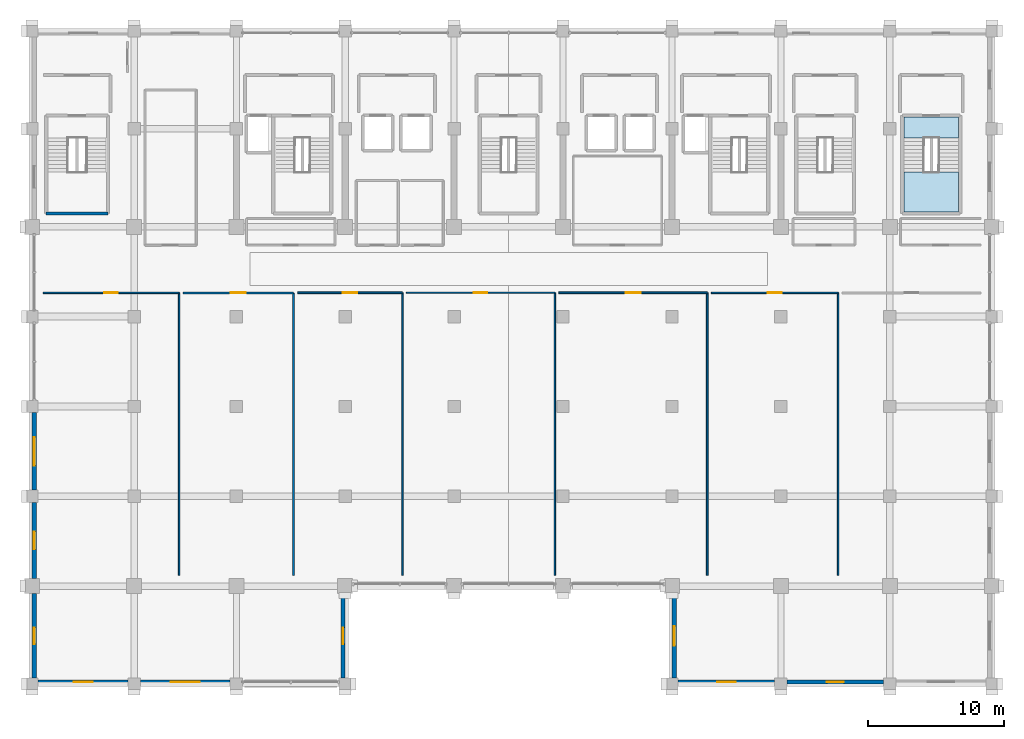
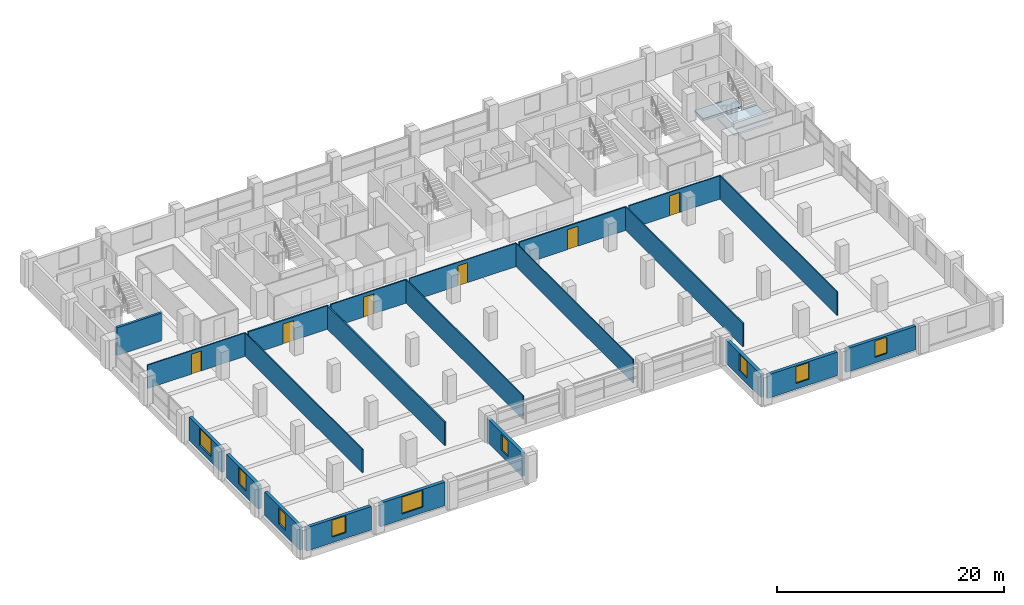
# One storey, part 16 of 22: 22 walls, 9 windows, 6 doors, 2 slabs, 15 openings, 1 element without a shape of its own.
"""IFC4 building model written with IfcOpenShell, lengths in metres."""

import ifcopenshell
import ifcopenshell.guid

model = None  # the IFC model being written
_history = None  # IfcOwnerHistory: only IFC2X3 demands one
_inside = {}  # id of a spatial element -> (the spatial element, [elements in it])
_under = {}  # id of a project, library or spatial element -> (it, [spatial elements below it])
_declared = {}  # id of a project -> (the project, [libraries it declares])
_typed = {}  # id of a type object -> (the type object, [elements of that type])
_made_of = {}  # id of a material, layer set ... -> (it, [elements and type objects made of it])


def new_model(schema):
    """Start an empty IFC model of exactly this schema.

    Asked for "IFC4X3", IfcOpenShell would pick the latest addendum, in which some entities
    have other attributes; the version numbers below select the first issue.
    IFC2X3 requires an IfcOwnerHistory on every rooted entity: one is made here for all.
    """
    global model, _history
    if schema == "IFC4X3":
        model = ifcopenshell.file(schema_version=(4, 3, 0, 0))
    else:
        model = ifcopenshell.file(schema=schema)
    _inside.clear()
    _under.clear()
    _declared.clear()
    _typed.clear()
    _made_of.clear()
    _history = None
    if model.schema == "IFC2X3":
        org = make("IfcOrganization", Name="unknown")
        user = make(
            "IfcPersonAndOrganization",
            ThePerson=make("IfcPerson", FamilyName="unknown"),
            TheOrganization=org,
        )
        app = make(
            "IfcApplication",
            ApplicationDeveloper=org,
            Version="unknown",
            ApplicationFullName="unknown",
            ApplicationIdentifier="unknown",
        )
        _history = make(
            "IfcOwnerHistory",
            OwningUser=user,
            OwningApplication=app,
            ChangeAction="ADDED",
            CreationDate=0,
        )
    return model


def make(cls, **values):
    """One entity of the class cls with the attributes given. An attribute that is None is left unset."""
    return model.create_entity(
        cls, **{name: value for name, value in values.items() if value is not None}
    )


def rooted(cls, **values):
    """An entity with a GlobalId (a new one), such as an element, a storey or a relation."""
    return make(cls, GlobalId=ifcopenshell.guid.new(), OwnerHistory=_history, **values)


def si_unit(unit_type, name, prefix=None):
    """IfcSIUnit, for example si_unit("LENGTHUNIT", "METRE", prefix="MILLI")."""
    return make("IfcSIUnit", UnitType=unit_type, Prefix=prefix, Name=name)


def assignment(units):
    """IfcUnitAssignment: the units of a project."""
    return None if units is None else make("IfcUnitAssignment", Units=units)


def point(xyz):
    """IfcCartesianPoint."""
    return None if xyz is None else make("IfcCartesianPoint", Coordinates=xyz)


def direction(xyz):
    """IfcDirection."""
    return None if xyz is None else make("IfcDirection", DirectionRatios=xyz)


def frame(location, z_axis=None, x_axis=None):
    """IfcAxis2Placement3D, a coordinate frame: its origin and axes. An axis left out is left unset."""
    return make(
        "IfcAxis2Placement3D",
        Location=point(location),
        Axis=direction(z_axis),
        RefDirection=direction(x_axis),
    )


def frame_2d(location, x_axis=None):
    """IfcAxis2Placement2D, a coordinate frame in the plane: its origin and x axis."""
    return make(
        "IfcAxis2Placement2D", Location=point(location), RefDirection=direction(x_axis)
    )


def origin():
    """The frame at (0, 0, 0) with its axes left unset."""
    return frame((0.0, 0.0, 0.0))


def place(relative_to, where):
    """IfcLocalPlacement: puts the frame where relative to a parent placement (None: the world)."""
    return make(
        "IfcLocalPlacement", PlacementRelTo=relative_to, RelativePlacement=where
    )


def context(
    kind, dimensions, precision=None, world=None, true_north=None, identifier=None
):
    """IfcGeometricRepresentationContext, for example the 3D "Model" context."""
    return make(
        "IfcGeometricRepresentationContext",
        ContextIdentifier=identifier,
        ContextType=kind,
        CoordinateSpaceDimension=dimensions,
        Precision=precision,
        WorldCoordinateSystem=world,
        TrueNorth=true_north,
    )


def subcontext(parent, identifier, kind, view, scale=None):
    """IfcGeometricRepresentationSubContext, for example "Body" below "Model"."""
    return make(
        "IfcGeometricRepresentationSubContext",
        ContextIdentifier=identifier,
        ContextType=kind,
        ParentContext=parent,
        TargetScale=scale,
        TargetView=view,
    )


def project(units=None, contexts=None):
    """IfcProject with its units and contexts."""
    return rooted(
        "IfcProject",
        Name="project",
        RepresentationContexts=contexts,
        UnitsInContext=assignment(units),
    )


def spatial(cls, under=None, at=None, **own):
    """A site, building, storey or space (cls), placed at a placement, below another one or the project."""
    s = rooted(cls, ObjectPlacement=at, **own)
    if under is not None:
        _under.setdefault(under.id(), (under, []))[1].append(s)
    return s


def polyline(points):
    """IfcPolyline through the points."""
    return make("IfcPolyline", Points=[point(p) for p in points])


def profile(cls, at=None, kind="AREA", **sizes):
    """A parametric profile (cls). Its sizes go by their IFC names, for example OverallWidth=200.0."""
    return make(cls, ProfileType=kind, Position=at, **sizes)


def rectangle(**sizes):
    """IfcRectangleProfileDef."""
    return profile("IfcRectangleProfileDef", **sizes)


def outline(outer, holes=None, kind="AREA"):
    """IfcArbitraryClosedProfileDef: a profile drawn as a closed curve; with holes, ...WithVoids."""
    if holes is None:
        return make("IfcArbitraryClosedProfileDef", ProfileType=kind, OuterCurve=outer)
    return make(
        "IfcArbitraryProfileDefWithVoids",
        ProfileType=kind,
        OuterCurve=outer,
        InnerCurves=holes,
    )


def extrude(swept, where, along, depth):
    """IfcExtrudedAreaSolid: the profile swept, set in the frame where, extruded along a direction by depth."""
    return make(
        "IfcExtrudedAreaSolid",
        SweptArea=swept,
        Position=where,
        ExtrudedDirection=direction(along),
        Depth=depth,
    )


def shape(context_of_items, identifier, shape_type, items):
    """IfcShapeRepresentation: the items that make up one representation, for example the "Body"."""
    return make(
        "IfcShapeRepresentation",
        ContextOfItems=context_of_items,
        RepresentationIdentifier=identifier,
        RepresentationType=shape_type,
        Items=items,
    )


def material(Name=None, Category=None):
    """IfcMaterial."""
    return make("IfcMaterial", Name=Name, Category=Category)


def layer(
    of_material, thickness, ventilated=None, Name=None, Category=None, Priority=None
):
    """IfcMaterialLayer: one layer of a wall or slab, of a material (None: an air gap)."""
    return make(
        "IfcMaterialLayer",
        Material=of_material,
        LayerThickness=thickness,
        IsVentilated=ventilated,
        Name=Name,
        Category=Category,
        Priority=Priority,
    )


def layer_set(layers, Name=None):
    """IfcMaterialLayerSet."""
    return make("IfcMaterialLayerSet", MaterialLayers=layers, LayerSetName=Name)


def made_of(thing, what):
    """Note that an element or type object is made of a material, layer set ...; save() writes the relation."""
    if what is not None:
        _made_of.setdefault(what.id(), (what, []))[1].append(thing)
    return thing


def type_object(cls, material=None, **own):
    """A type object (cls), such as IfcWallType, which elements share."""
    return made_of(rooted(cls, **own), material)


def element(
    cls,
    number,
    at=None,
    inside=None,
    cuts=None,
    type_object=None,
    material=None,
    context=None,
    identifier="Body",
    shape_type=None,
    held_by="IfcProductDefinitionShape",
    body=None,
    shapes=None,
    **own,
):
    """One element of the class cls, such as IfcWall. Its Tag is "e" and its number.

    at: its placement. inside: the storey or other place that contains it. cuts: it is an
    opening in that element (IfcRelVoidsElement). A single representation is given by context,
    identifier, shape_type and body (its items); several are given by shapes. held_by: the class
    of the entity that holds the representations. save() writes the other relations.
    """
    e = rooted(cls, Tag="e%d" % number, ObjectPlacement=at, **own)
    if body is not None:
        shapes = [shape(context, identifier, shape_type, body)]
    if shapes is not None:
        e.Representation = make(held_by, Representations=shapes)
    if inside is not None:
        _inside.setdefault(inside.id(), (inside, []))[1].append(e)
    if cuts is not None:
        rooted(
            "IfcRelVoidsElement", RelatingBuildingElement=cuts, RelatedOpeningElement=e
        )
    if type_object is not None:
        _typed.setdefault(type_object.id(), (type_object, []))[1].append(e)
    return made_of(e, material)


def fill(opening, filler):
    """IfcRelFillsElement: the door or window that sits in an opening."""
    return rooted(
        "IfcRelFillsElement",
        RelatingOpeningElement=opening,
        RelatedBuildingElement=filler,
    )


def aggregate(whole, parts):
    """IfcRelAggregates: a whole, such as a stair, and the parts it consists of."""
    return rooted("IfcRelAggregates", RelatingObject=whole, RelatedObjects=parts)


def save(model, path):
    """Write the relations noted so far, then the file.

    IfcRelAggregates (storeys below a building ...), IfcRelContainedInSpatialStructure (elements
    in a storey), IfcRelDefinesByType, IfcRelAssociatesMaterial and IfcRelDeclares: one each for
    every whole, place, type object, material and project.
    """
    for whole, parts in _under.values():
        aggregate(whole, parts)
    for where, things in _inside.values():
        rooted(
            "IfcRelContainedInSpatialStructure",
            RelatedElements=things,
            RelatingStructure=where,
        )
    for kind, things in _typed.values():
        rooted("IfcRelDefinesByType", RelatedObjects=things, RelatingType=kind)
    for what, things in _made_of.values():
        rooted("IfcRelAssociatesMaterial", RelatedObjects=things, RelatingMaterial=what)
    for by, libraries in _declared.values():
        rooted("IfcRelDeclares", RelatingContext=by, RelatedDefinitions=libraries)
    model.write(path)


model = new_model("IFC4")

# Units and contexts
model_context = context("Model", 3, precision=1e-05, world=origin(), true_north=direction((0.0, 1.0)))
body_context = subcontext(model_context, "Body", "Model", "MODEL_VIEW")
ifc_project = project(units=[si_unit("LENGTHUNIT", "METRE"), si_unit("AREAUNIT", "SQUARE_METRE"), si_unit("VOLUMEUNIT", "CUBIC_METRE"), si_unit("PLANEANGLEUNIT", "RADIAN"), si_unit("MASSUNIT", "GRAM", prefix="KILO")], contexts=[model_context])

# Site, building, storey
site_placement = place(None, origin())
site = spatial("IfcSite", under=ifc_project, at=site_placement, CompositionType="ELEMENT")
building_placement = place(site_placement, origin())
building = spatial("IfcBuilding", under=site, at=building_placement, Name="Akrevak Sports Hall", CompositionType="ELEMENT")
storey_placement = place(building_placement, frame((0.0, 0.0, 30.800048828125)))
storey = spatial("IfcBuildingStorey", under=building, at=storey_placement, Name="L06", CompositionType="ELEMENT", Elevation=30.800048828125)

# Stair, slab
ifc_material_1 = material(Name="Concrete C40/50", Category="concrete")
stair_type = type_object("IfcStairType", Name="ARC-STR-DOG-325", PredefinedType="HALF_TURN_STAIR", material=ifc_material_1)
stair_placement = place(storey_placement, origin())
stair = element("IfcStair", 1, at=stair_placement, inside=storey, type_object=stair_type, Name="East Transfer Exit Stair ST11 (L06 to L07)", PredefinedType="HALF_TURN_STAIR")
ifc_layer_1 = layer(ifc_material_1, 0.199951171875, Name="Concrete C40/50")
ifc_layer_set_1 = layer_set([ifc_layer_1], Name="Concrete C40/50")
slab_type_1 = type_object("IfcSlabType", Name="STR-SLB-LAND-200", PredefinedType="LANDING", material=ifc_layer_set_1)
slab_1_placement = place(storey_placement, frame((0.0, 0.0, 1.425048828125)))
slab_1 = element("IfcSlab", 2, at=slab_1_placement, type_object=slab_type_1, Name="Stair ST11 Half-Landing 1 (L06)", PredefinedType="LANDING", context=body_context, shape_type="SweptSolid", body=[
    extrude(outline(polyline([(109.050048828125, 56.300048828125), (113.050048828125, 56.300048828125), (113.050048828125, 59.215087890625), (109.050048828125, 59.215087890625), (109.050048828125, 56.300048828125)])), origin(), (0.0, 0.0, 1.0), 0.199951171875),
])
aggregate(stair, [slab_1])

# Slab
ifc_layer_2 = layer(ifc_material_1, 0.219970703125, Name="Concrete C40/50")
ifc_layer_set_2 = layer_set([ifc_layer_2], Name="Concrete C40/50")
slab_type_2 = type_object("IfcSlabType", Name="STR-SLB-LAND-220", PredefinedType="LANDING", material=ifc_layer_set_2)
slab_2_placement = place(storey_placement, frame((0.0, 0.0, -0.219970703125)))
element("IfcSlab", 3, at=slab_2_placement, inside=storey, type_object=slab_type_2, Name="Stair ST11 Floor Landing (L06)", PredefinedType="LANDING", context=body_context, shape_type="SweptSolid", body=[
    extrude(outline(polyline([(109.050048828125, 61.735107421875), (113.050048828125, 61.735107421875), (113.050048828125, 63.25), (109.050048828125, 63.25), (109.050048828125, 61.735107421875)])), origin(), (0.0, 0.0, 1.0), 0.219970703125),
])

# Wall, opening, window
ifc_material_2 = material(Name="Limestone Ashlar", Category="stone")
ifc_layer_3 = layer(ifc_material_2, 0.070068359375, Name="Limestone Ashlar")
ifc_material_3 = material(Name="Mineral Wool Thermal Insulation", Category="insulation")
ifc_layer_4 = layer(ifc_material_3, 0.090087890625, Name="Mineral Wool Thermal Insulation")
ifc_layer_5 = layer(ifc_material_1, 0.159912109375, Name="Concrete C40/50")
ifc_layer_set_3 = layer_set([ifc_layer_3, ifc_layer_4, ifc_layer_5], Name="Limestone Ashlar / Mineral Wool Thermal Insulation / Concrete C40/50")
wall_type_1 = type_object("IfcWallType", Name="ARC-WL-EXT-320", PredefinedType="SOLIDWALL", material=ifc_layer_set_3)
wall_1_placement = place(storey_placement, frame((45.449951171875, 21.760009765625, 0.0), z_axis=(0.0, 0.0, 1.0), x_axis=(1.0, 0.0, 0.0)))
wall_1 = element("IfcWall", 4, at=wall_1_placement, inside=storey, type_object=wall_type_1, Name="Tower Stone Facade Wall L06-S01", PredefinedType="SOLIDWALL", context=body_context, shape_type="SweptSolid", body=[
    extrude(rectangle(XDim=6.60009765625, YDim=0.320068359375, at=frame_2d((3.300048828125, 0.0))), origin(), (0.0, 0.0, 1.0), 2.530029296875),
])
opening_1_placement = place(wall_1_placement, frame((2.60009765625, 0.0, 0.6201171875)))
opening_1 = element("IfcOpeningElement", 5, at=opening_1_placement, cuts=wall_1, Name="Opening WN-49", PredefinedType="OPENING", context=body_context, shape_type="SweptSolid", body=[
    extrude(rectangle(XDim=1.39990234375, YDim=1.81005859375, at=frame_2d((0.699951171875, 0.905029296875))), frame((0.0, 0.171875, 0.0), z_axis=(0.0, -1.0, 0.0), x_axis=(1.0, 0.0, 0.0)), (0.0, 0.0, 1.0), 0.343994140625),
])
ifc_material_4 = material(Name="Thermally Broken Bronze Frame & Double Low-E Glass", Category="glass")
window_type_1 = type_object("IfcWindowType", Name="ARC-WIN-SZ-1400x1810", PartitioningType="SINGLE_PANEL", PredefinedType="WINDOW", material=ifc_material_4)
window_1_placement = place(opening_1_placement, origin())
window_1 = element("IfcWindow", 6, at=window_1_placement, inside=storey, type_object=window_type_1, Name="Tower Window L06-S01", OverallHeight=1.81005859375, OverallWidth=1.39990234375, PartitioningType="SINGLE_PANEL", PredefinedType="WINDOW", context=body_context, shape_type="SweptSolid", body=[
    extrude(rectangle(XDim=1.39990234375, YDim=1.81005859375, at=frame_2d((0.699951171875, 0.905029296875))), frame((0.0, 0.030029296875, 0.0), z_axis=(0.0, -1.0, 0.0), x_axis=(1.0, 0.0, 0.0)), (0.0, 0.0, 1.0), 0.06005859375),
])
fill(opening_1, window_1)

wall_2_placement = place(storey_placement, frame((52.949951171875, 21.760009765625, 0.0), z_axis=(0.0, 0.0, 1.0), x_axis=(1.0, 0.0, 0.0)))
wall_2 = element("IfcWall", 7, at=wall_2_placement, inside=storey, type_object=wall_type_1, Name="Tower Stone Facade Wall L06-S02", PredefinedType="SOLIDWALL", context=body_context, shape_type="SweptSolid", body=[
    extrude(rectangle(XDim=6.60009765625, YDim=0.320068359375, at=frame_2d((3.300048828125, 0.0))), origin(), (0.0, 0.0, 1.0), 2.530029296875),
])
opening_2_placement = place(wall_2_placement, frame((2.25, 0.0, 0.6201171875)))
opening_2 = element("IfcOpeningElement", 8, at=opening_2_placement, cuts=wall_2, Name="Opening WN-55", PredefinedType="OPENING", context=body_context, shape_type="SweptSolid", body=[
    extrude(rectangle(XDim=2.10009765625, YDim=1.81005859375, at=frame_2d((1.050048828125, 0.905029296875))), frame((0.0, 0.171875, 0.0), z_axis=(0.0, -1.0, 0.0), x_axis=(1.0, 0.0, 0.0)), (0.0, 0.0, 1.0), 0.343994140625),
])
window_type_2 = type_object("IfcWindowType", Name="ARC-WIN-SZ-2100x1810", PartitioningType="SINGLE_PANEL", PredefinedType="WINDOW", material=ifc_material_4)
window_2_placement = place(opening_2_placement, origin())
window_2 = element("IfcWindow", 9, at=window_2_placement, inside=storey, type_object=window_type_2, Name="Tower Window L06-S02", OverallHeight=1.81005859375, OverallWidth=2.10009765625, PartitioningType="SINGLE_PANEL", PredefinedType="WINDOW", context=body_context, shape_type="SweptSolid", body=[
    extrude(rectangle(XDim=2.10009765625, YDim=1.81005859375, at=frame_2d((1.050048828125, 0.905029296875))), frame((0.0, 0.030029296875, 0.0), z_axis=(0.0, -1.0, 0.0), x_axis=(1.0, 0.0, 0.0)), (0.0, 0.0, 1.0), 0.06005859375),
])
fill(opening_2, window_2)

wall_3_placement = place(storey_placement, frame((67.840087890625, 22.050048828125, 0.0), z_axis=(0.0, 0.0, 1.0), x_axis=(0.0, 1.0, 0.0)))
wall_3 = element("IfcWall", 10, at=wall_3_placement, inside=storey, type_object=wall_type_1, Name="Tower Stone Facade Wall L06-E04", PredefinedType="SOLIDWALL", context=body_context, shape_type="SweptSolid", body=[
    extrude(rectangle(XDim=6.199951171875, YDim=0.320068359375, at=frame_2d((3.10009765625, 0.0))), origin(), (0.0, 0.0, 1.0), 2.530029296875),
])
opening_3_placement = place(wall_3_placement, frame((2.5, 0.0, 0.6201171875)))
opening_3 = element("IfcOpeningElement", 11, at=opening_3_placement, cuts=wall_3, Name="Opening WN-13", PredefinedType="OPENING", context=body_context, shape_type="SweptSolid", body=[
    extrude(rectangle(XDim=1.199951171875, YDim=1.699951171875, at=frame_2d((0.60009765625, 0.85009765625))), frame((0.0, 0.171875, 0.0), z_axis=(0.0, -1.0, 0.0), x_axis=(1.0, 0.0, 0.0)), (0.0, 0.0, 1.0), 0.343994140625),
])
window_type_3 = type_object("IfcWindowType", Name="ARC-WIN-TW-120x170", PartitioningType="SINGLE_PANEL", PredefinedType="WINDOW", material=ifc_material_4)
window_3_placement = place(opening_3_placement, origin())
window_3 = element("IfcWindow", 12, at=window_3_placement, inside=storey, type_object=window_type_3, Name="Tower Window L06-E04", OverallHeight=1.699951171875, OverallWidth=1.199951171875, PartitioningType="SINGLE_PANEL", PredefinedType="WINDOW", context=body_context, shape_type="SweptSolid", body=[
    extrude(rectangle(XDim=1.199951171875, YDim=1.699951171875, at=frame_2d((0.60009765625, 0.85009765625))), frame((0.0, 0.030029296875, 0.0), z_axis=(0.0, -1.0, 0.0), x_axis=(1.0, 0.0, 0.0)), (0.0, 0.0, 1.0), 0.06005859375),
])
fill(opening_3, window_3)

wall_4_placement = place(storey_placement, frame((92.159912109375, 28.25, 0.0), z_axis=(0.0, 0.0, 1.0), x_axis=(0.0, -1.0, 0.0)))
wall_4 = element("IfcWall", 13, at=wall_4_placement, inside=storey, type_object=wall_type_1, Name="Tower Stone Facade Wall L06-W08", PredefinedType="SOLIDWALL", context=body_context, shape_type="SweptSolid", body=[
    extrude(rectangle(XDim=6.199951171875, YDim=0.320068359375, at=frame_2d((3.10009765625, 0.0))), origin(), (0.0, 0.0, 1.0), 2.530029296875),
])
opening_4_placement = place(wall_4_placement, frame((2.375, 0.0, 0.6201171875)))
opening_4 = element("IfcOpeningElement", 14, at=opening_4_placement, cuts=wall_4, Name="Opening WN-51", PredefinedType="OPENING", context=body_context, shape_type="SweptSolid", body=[
    extrude(rectangle(XDim=1.449951171875, YDim=1.81005859375, at=frame_2d((0.72509765625, 0.905029296875))), frame((0.0, 0.171875, 0.0), z_axis=(0.0, -1.0, 0.0), x_axis=(1.0, 0.0, 0.0)), (0.0, 0.0, 1.0), 0.343994140625),
])
window_type_4 = type_object("IfcWindowType", Name="ARC-WIN-SZ-1450x1810", PartitioningType="SINGLE_PANEL", PredefinedType="WINDOW", material=ifc_material_4)
window_4_placement = place(opening_4_placement, origin())
window_4 = element("IfcWindow", 15, at=window_4_placement, inside=storey, type_object=window_type_4, Name="Tower Window L06-W08", OverallHeight=1.81005859375, OverallWidth=1.449951171875, PartitioningType="SINGLE_PANEL", PredefinedType="WINDOW", context=body_context, shape_type="SweptSolid", body=[
    extrude(rectangle(XDim=1.449951171875, YDim=1.81005859375, at=frame_2d((0.72509765625, 0.905029296875))), frame((0.0, 0.030029296875, 0.0), z_axis=(0.0, -1.0, 0.0), x_axis=(1.0, 0.0, 0.0)), (0.0, 0.0, 1.0), 0.06005859375),
])
fill(opening_4, window_4)

wall_5_placement = place(storey_placement, frame((92.449951171875, 21.760009765625, 0.0), z_axis=(0.0, 0.0, 1.0), x_axis=(1.0, 0.0, 0.0)))
wall_5 = element("IfcWall", 16, at=wall_5_placement, inside=storey, type_object=wall_type_1, Name="Tower Stone Facade Wall L06-S09", PredefinedType="SOLIDWALL", context=body_context, shape_type="SweptSolid", body=[
    extrude(rectangle(XDim=7.10009765625, YDim=0.320068359375, at=frame_2d((3.550048828125, 0.0))), origin(), (0.0, 0.0, 1.0), 2.530029296875),
])
opening_5_placement = place(wall_5_placement, frame((2.875, 0.0, 0.6201171875)))
opening_5 = element("IfcOpeningElement", 17, at=opening_5_placement, cuts=wall_5, Name="Opening WN-19", PredefinedType="OPENING", context=body_context, shape_type="SweptSolid", body=[
    extrude(rectangle(XDim=1.35009765625, YDim=1.800048828125, at=frame_2d((0.675048828125, 0.89990234375))), frame((0.0, 0.171875, 0.0), z_axis=(0.0, -1.0, 0.0), x_axis=(1.0, 0.0, 0.0)), (0.0, 0.0, 1.0), 0.343994140625),
])
window_type_5 = type_object("IfcWindowType", Name="ARC-WIN-TW-135x180", PartitioningType="SINGLE_PANEL", PredefinedType="WINDOW", material=ifc_material_4)
window_5_placement = place(opening_5_placement, origin())
window_5 = element("IfcWindow", 18, at=window_5_placement, inside=storey, type_object=window_type_5, Name="Tower Window L06-S09", OverallHeight=1.800048828125, OverallWidth=1.35009765625, PartitioningType="SINGLE_PANEL", PredefinedType="WINDOW", context=body_context, shape_type="SweptSolid", body=[
    extrude(rectangle(XDim=1.35009765625, YDim=1.800048828125, at=frame_2d((0.675048828125, 0.89990234375))), frame((0.0, 0.030029296875, 0.0), z_axis=(0.0, -1.0, 0.0), x_axis=(1.0, 0.0, 0.0)), (0.0, 0.0, 1.0), 0.06005859375),
])
fill(opening_5, window_5)

wall_6_placement = place(storey_placement, frame((100.449951171875, 21.760009765625, 0.0), z_axis=(0.0, 0.0, 1.0), x_axis=(1.0, 0.0, 0.0)))
wall_6 = element("IfcWall", 19, at=wall_6_placement, inside=storey, type_object=wall_type_1, Name="Tower Stone Facade Wall L06-S10", PredefinedType="SOLIDWALL", context=body_context, shape_type="SweptSolid", body=[
    extrude(rectangle(XDim=7.10009765625, YDim=0.320068359375, at=frame_2d((3.550048828125, 0.0))), origin(), (0.0, 0.0, 1.0), 2.530029296875),
])
opening_6_placement = place(wall_6_placement, frame((2.925048828125, 0.0, 0.6201171875)))
opening_6 = element("IfcOpeningElement", 20, at=opening_6_placement, cuts=wall_6, Name="Opening WN-20", PredefinedType="OPENING", context=body_context, shape_type="SweptSolid", body=[
    extrude(rectangle(XDim=1.25, YDim=1.75, at=frame_2d((0.625, 0.875))), frame((0.0, 0.171875, 0.0), z_axis=(0.0, -1.0, 0.0), x_axis=(1.0, 0.0, 0.0)), (0.0, 0.0, 1.0), 0.343994140625),
])
window_type_6 = type_object("IfcWindowType", Name="ARC-WIN-TW-125x175", PartitioningType="SINGLE_PANEL", PredefinedType="WINDOW", material=ifc_material_4)
window_6_placement = place(opening_6_placement, origin())
window_6 = element("IfcWindow", 21, at=window_6_placement, inside=storey, type_object=window_type_6, Name="Tower Window L06-S10", OverallHeight=1.75, OverallWidth=1.25, PartitioningType="SINGLE_PANEL", PredefinedType="WINDOW", context=body_context, shape_type="SweptSolid", body=[
    extrude(rectangle(XDim=1.25, YDim=1.75, at=frame_2d((0.625, 0.875))), frame((0.0, 0.030029296875, 0.0), z_axis=(0.0, -1.0, 0.0), x_axis=(1.0, 0.0, 0.0)), (0.0, 0.0, 1.0), 0.06005859375),
])
fill(opening_6, window_6)

wall_7_placement = place(storey_placement, frame((45.159912109375, 41.550048828125, 0.0), z_axis=(0.0, 0.0, 1.0), x_axis=(0.0, -1.0, 0.0)))
wall_7 = element("IfcWall", 22, at=wall_7_placement, inside=storey, type_object=wall_type_1, Name="Tower Stone Facade Wall L06-W32", PredefinedType="SOLIDWALL", context=body_context, shape_type="SweptSolid", body=[
    extrude(rectangle(XDim=5.699951171875, YDim=0.320068359375, at=frame_2d((2.85009765625, 0.0))), origin(), (0.0, 0.0, 1.0), 2.530029296875),
])
opening_7_placement = place(wall_7_placement, frame((1.800048828125, 0.0, 0.6201171875)))
opening_7 = element("IfcOpeningElement", 23, at=opening_7_placement, cuts=wall_7, Name="Opening WN-55", PredefinedType="OPENING", context=body_context, shape_type="SweptSolid", body=[
    extrude(rectangle(XDim=2.10009765625, YDim=1.81005859375, at=frame_2d((1.050048828125, 0.905029296875))), frame((0.0, 0.171875, 0.0), z_axis=(0.0, -1.0, 0.0), x_axis=(1.0, 0.0, 0.0)), (0.0, 0.0, 1.0), 0.343994140625),
])
window_7_placement = place(opening_7_placement, origin())
window_7 = element("IfcWindow", 24, at=window_7_placement, inside=storey, type_object=window_type_2, Name="Tower Window L06-W32", OverallHeight=1.81005859375, OverallWidth=2.10009765625, PartitioningType="SINGLE_PANEL", PredefinedType="WINDOW", context=body_context, shape_type="SweptSolid", body=[
    extrude(rectangle(XDim=2.10009765625, YDim=1.81005859375, at=frame_2d((1.050048828125, 0.905029296875))), frame((0.0, 0.030029296875, 0.0), z_axis=(0.0, -1.0, 0.0), x_axis=(1.0, 0.0, 0.0)), (0.0, 0.0, 1.0), 0.06005859375),
])
fill(opening_7, window_7)

wall_8_placement = place(storey_placement, frame((45.159912109375, 34.949951171875, 0.0), z_axis=(0.0, 0.0, 1.0), x_axis=(0.0, -1.0, 0.0)))
wall_8 = element("IfcWall", 25, at=wall_8_placement, inside=storey, type_object=wall_type_1, Name="Tower Stone Facade Wall L06-W33", PredefinedType="SOLIDWALL", context=body_context, shape_type="SweptSolid", body=[
    extrude(rectangle(XDim=5.599853515625, YDim=0.320068359375, at=frame_2d((2.7998046875, 0.0))), origin(), (0.0, 0.0, 1.0), 2.530029296875),
])
opening_8_placement = place(wall_8_placement, frame((2.14990234375, 0.0, 0.6201171875)))
opening_8 = element("IfcOpeningElement", 26, at=opening_8_placement, cuts=wall_8, Name="Opening WN-12", PredefinedType="OPENING", context=body_context, shape_type="SweptSolid", body=[
    extrude(rectangle(XDim=1.300048828125, YDim=1.800048828125, at=frame_2d((0.64990234375, 0.89990234375))), frame((0.0, 0.171875, 0.0), z_axis=(0.0, -1.0, 0.0), x_axis=(1.0, 0.0, 0.0)), (0.0, 0.0, 1.0), 0.343994140625),
])
window_type_7 = type_object("IfcWindowType", Name="ARC-WIN-TW-130x180", PartitioningType="SINGLE_PANEL", PredefinedType="WINDOW", material=ifc_material_4)
window_8_placement = place(opening_8_placement, origin())
window_8 = element("IfcWindow", 27, at=window_8_placement, inside=storey, type_object=window_type_7, Name="Tower Window L06-W33", OverallHeight=1.800048828125, OverallWidth=1.300048828125, PartitioningType="SINGLE_PANEL", PredefinedType="WINDOW", context=body_context, shape_type="SweptSolid", body=[
    extrude(rectangle(XDim=1.300048828125, YDim=1.800048828125, at=frame_2d((0.64990234375, 0.89990234375))), frame((0.0, 0.030029296875, 0.0), z_axis=(0.0, -1.0, 0.0), x_axis=(1.0, 0.0, 0.0)), (0.0, 0.0, 1.0), 0.06005859375),
])
fill(opening_8, window_8)

wall_9_placement = place(storey_placement, frame((45.159912109375, 28.25, 0.0), z_axis=(0.0, 0.0, 1.0), x_axis=(0.0, -1.0, 0.0)))
wall_9 = element("IfcWall", 28, at=wall_9_placement, inside=storey, type_object=wall_type_1, Name="Tower Stone Facade Wall L06-W34", PredefinedType="SOLIDWALL", context=body_context, shape_type="SweptSolid", body=[
    extrude(rectangle(XDim=6.199951171875, YDim=0.320068359375, at=frame_2d((3.10009765625, 0.0))), origin(), (0.0, 0.0, 1.0), 2.530029296875),
])
opening_9_placement = place(wall_9_placement, frame((2.5, 0.0, 0.6201171875)))
opening_9 = element("IfcOpeningElement", 29, at=opening_9_placement, cuts=wall_9, Name="Opening WN-13", PredefinedType="OPENING", context=body_context, shape_type="SweptSolid", body=[
    extrude(rectangle(XDim=1.199951171875, YDim=1.699951171875, at=frame_2d((0.60009765625, 0.85009765625))), frame((0.0, 0.171875, 0.0), z_axis=(0.0, -1.0, 0.0), x_axis=(1.0, 0.0, 0.0)), (0.0, 0.0, 1.0), 0.343994140625),
])
window_9_placement = place(opening_9_placement, origin())
window_9 = element("IfcWindow", 30, at=window_9_placement, inside=storey, type_object=window_type_3, Name="Tower Window L06-W34", OverallHeight=1.699951171875, OverallWidth=1.199951171875, PartitioningType="SINGLE_PANEL", PredefinedType="WINDOW", context=body_context, shape_type="SweptSolid", body=[
    extrude(rectangle(XDim=1.199951171875, YDim=1.699951171875, at=frame_2d((0.60009765625, 0.85009765625))), frame((0.0, 0.030029296875, 0.0), z_axis=(0.0, -1.0, 0.0), x_axis=(1.0, 0.0, 0.0)), (0.0, 0.0, 1.0), 0.06005859375),
])
fill(opening_9, window_9)

# Wall, opening, door
ifc_material_5 = material(Name="Sanitary Cubicle Partition", Category="gypsum")
ifc_layer_6 = layer(ifc_material_5, 0.10009765625, Name="Sanitary Cubicle Partition")
ifc_layer_set_4 = layer_set([ifc_layer_6], Name="Sanitary Cubicle Partition")
wall_type_2 = type_object("IfcWallType", Name="ARC-WL-PRT-100", PredefinedType="PARTITIONING", material=ifc_layer_set_4)
wall_10_placement = place(storey_placement, frame((72.5, 50.35009765625, 0.0), z_axis=(0.0, 0.0, 1.0), x_axis=(1.0, 0.0, 0.0)))
wall_10 = element("IfcWall", 31, at=wall_10_placement, inside=storey, type_object=wall_type_2, Name="Interior Partition Sports Medicine Consultation Office (L06) (N)", PredefinedType="PARTITIONING", context=body_context, shape_type="SweptSolid", body=[
    extrude(rectangle(XDim=10.89990234375, YDim=0.10009765625, at=frame_2d((5.449951171875, 0.0))), origin(), (0.0, 0.0, 1.0), 2.530029296875),
])
opening_10_placement = place(wall_10_placement, frame((4.949951171875, 0.0, 0.0)))
opening_10 = element("IfcOpeningElement", 32, at=opening_10_placement, cuts=wall_10, Name="Opening ID-06", PredefinedType="OPENING", context=body_context, shape_type="SweptSolid", body=[
    extrude(rectangle(XDim=1.0, YDim=2.14990234375, at=frame_2d((0.5, 1.074951171875))), frame((0.0, 0.06201171875, 0.0), z_axis=(0.0, -1.0, 0.0), x_axis=(1.0, 0.0, 0.0)), (0.0, 0.0, 1.0), 0.1240234375),
])
ifc_material_6 = material(Name="Hardwood Oak Acoustic Leaf", Category="wood")
door_type_1 = type_object("IfcDoorType", Name="ARC-DR-OFF-100x215", OperationType="NOTDEFINED", PredefinedType="DOOR", material=ifc_material_6)
door_1_placement = place(opening_10_placement, frame((1.0, 0.0, 0.0), z_axis=(0.0, 0.0, 1.0), x_axis=(-1.0, 0.0, 0.0)))
door_1 = element("IfcDoor", 33, at=door_1_placement, inside=storey, type_object=door_type_1, Name="Door to Sports Medicine Consultation Office (L06)", OperationType="SINGLE_SWING_RIGHT", OverallHeight=2.14990234375, OverallWidth=1.0, PredefinedType="DOOR", context=body_context, shape_type="SweptSolid", body=[
    extrude(rectangle(XDim=1.0, YDim=2.14990234375, at=frame_2d((0.5, 1.074951171875))), frame((0.0, 0.02490234375, 0.0), z_axis=(0.0, -1.0, 0.0), x_axis=(1.0, 0.0, 0.0)), (0.0, 0.0, 1.0), 0.050048828125),
])
fill(opening_10, door_1)

# Wall
wall_11_placement = place(storey_placement, frame((83.39990234375, 29.60009765625, 0.0), z_axis=(0.0, 0.0, 1.0), x_axis=(0.0, 1.0, 0.0)))
element("IfcWall", 34, at=wall_11_placement, inside=storey, type_object=wall_type_2, Name="Interior Partition Sports Medicine Consultation Office (L06) (E)", PredefinedType="PARTITIONING", context=body_context, shape_type="SweptSolid", body=[
    extrude(rectangle(XDim=20.75, YDim=0.10009765625, at=frame_2d((10.375, 0.0))), origin(), (0.0, 0.0, 1.0), 2.530029296875),
])

# Wall, opening, door
ifc_material_7 = material(Name="Lightweight Office Partition", Category="gypsum")
ifc_layer_7 = layer(ifc_material_7, 0.110107421875, Name="Lightweight Office Partition")
ifc_layer_set_5 = layer_set([ifc_layer_7], Name="Lightweight Office Partition")
wall_type_3 = type_object("IfcWallType", Name="ARC-WL-PRT-110", PredefinedType="PARTITIONING", material=ifc_layer_set_5)
wall_12_placement = place(storey_placement, frame((45.800048828125, 50.35009765625, 0.0), z_axis=(0.0, 0.0, 1.0), x_axis=(1.0, 0.0, 0.0)))
wall_12 = element("IfcWall", 35, at=wall_12_placement, inside=storey, type_object=wall_type_3, Name="Interior Partition National Aquatics Federation Office (L06) (N)", PredefinedType="PARTITIONING", context=body_context, shape_type="SweptSolid", body=[
    extrude(rectangle(XDim=10.0, YDim=0.110107421875, at=frame_2d((5.0, 0.0))), origin(), (0.0, 0.0, 1.0), 2.530029296875),
])
opening_11_placement = place(wall_12_placement, frame((4.5, 0.0, 0.0)))
opening_11 = element("IfcOpeningElement", 36, at=opening_11_placement, cuts=wall_12, Name="Opening ID-06", PredefinedType="OPENING", context=body_context, shape_type="SweptSolid", body=[
    extrude(rectangle(XDim=1.0, YDim=2.14990234375, at=frame_2d((0.5, 1.074951171875))), frame((0.0, 0.06689453125, 0.0), z_axis=(0.0, -1.0, 0.0), x_axis=(1.0, 0.0, 0.0)), (0.0, 0.0, 1.0), 0.134033203125),
])
door_2_placement = place(opening_11_placement, origin())
door_2 = element("IfcDoor", 37, at=door_2_placement, inside=storey, type_object=door_type_1, Name="Door to National Aquatics Federation Office (L06)", OperationType="SINGLE_SWING_LEFT", OverallHeight=2.14990234375, OverallWidth=1.0, PredefinedType="DOOR", context=body_context, shape_type="SweptSolid", body=[
    extrude(rectangle(XDim=1.0, YDim=2.14990234375, at=frame_2d((0.5, 1.074951171875))), frame((0.0, 0.02490234375, 0.0), z_axis=(0.0, -1.0, 0.0), x_axis=(1.0, 0.0, 0.0)), (0.0, 0.0, 1.0), 0.050048828125),
])
fill(opening_11, door_2)

# Wall
wall_13_placement = place(storey_placement, frame((55.800048828125, 29.60009765625, 0.0), z_axis=(0.0, 0.0, 1.0), x_axis=(0.0, 1.0, 0.0)))
element("IfcWall", 38, at=wall_13_placement, inside=storey, type_object=wall_type_3, Name="Interior Partition National Aquatics Federation Office (L06) (E)", PredefinedType="PARTITIONING", context=body_context, shape_type="SweptSolid", body=[
    extrude(rectangle(XDim=20.75, YDim=0.110107421875, at=frame_2d((10.375, 0.0))), origin(), (0.0, 0.0, 1.0), 2.530029296875),
])

# Wall, opening, door
wall_14_placement = place(storey_placement, frame((94.89990234375, 50.35009765625, 0.0), z_axis=(0.0, 0.0, 1.0), x_axis=(1.0, 0.0, 0.0)))
wall_14 = element("IfcWall", 39, at=wall_14_placement, inside=storey, type_object=wall_type_3, Name="Interior Partition National Handball Federation Office (L06) (N)", PredefinedType="PARTITIONING", context=body_context, shape_type="SweptSolid", body=[
    extrude(rectangle(XDim=9.300048828125, YDim=0.110107421875, at=frame_2d((4.64990234375, 0.0))), origin(), (0.0, 0.0, 1.0), 2.530029296875),
])
opening_12_placement = place(wall_14_placement, frame((4.125, 0.0, 0.0)))
opening_12 = element("IfcOpeningElement", 40, at=opening_12_placement, cuts=wall_14, Name="Opening ID-05", PredefinedType="OPENING", context=body_context, shape_type="SweptSolid", body=[
    extrude(rectangle(XDim=1.050048828125, YDim=2.14990234375, at=frame_2d((0.52490234375, 1.074951171875))), frame((0.0, 0.06689453125, 0.0), z_axis=(0.0, -1.0, 0.0), x_axis=(1.0, 0.0, 0.0)), (0.0, 0.0, 1.0), 0.134033203125),
])
door_type_2 = type_object("IfcDoorType", Name="ARC-DR-OFF-105x215", OperationType="NOTDEFINED", PredefinedType="DOOR", material=ifc_material_6)
door_3_placement = place(opening_12_placement, frame((1.050048828125, 0.0, 0.0), z_axis=(0.0, 0.0, 1.0), x_axis=(-1.0, 0.0, 0.0)))
door_3 = element("IfcDoor", 41, at=door_3_placement, inside=storey, type_object=door_type_2, Name="Door to National Handball Federation Office (L06)", OperationType="SINGLE_SWING_RIGHT", OverallHeight=2.14990234375, OverallWidth=1.050048828125, PredefinedType="DOOR", context=body_context, shape_type="SweptSolid", body=[
    extrude(rectangle(XDim=1.050048828125, YDim=2.14990234375, at=frame_2d((0.52490234375, 1.074951171875))), frame((0.0, 0.02490234375, 0.0), z_axis=(0.0, -1.0, 0.0), x_axis=(1.0, 0.0, 0.0)), (0.0, 0.0, 1.0), 0.050048828125),
])
fill(opening_12, door_3)

# Wall
wall_15_placement = place(storey_placement, frame((104.199951171875, 29.60009765625, 0.0), z_axis=(0.0, 0.0, 1.0), x_axis=(0.0, 1.0, 0.0)))
element("IfcWall", 42, at=wall_15_placement, inside=storey, type_object=wall_type_3, Name="Interior Partition National Handball Federation Office (L06) (E)", PredefinedType="PARTITIONING", context=body_context, shape_type="SweptSolid", body=[
    extrude(rectangle(XDim=20.75, YDim=0.110107421875, at=frame_2d((10.375, 0.0))), origin(), (0.0, 0.0, 1.0), 2.530029296875),
])

# Wall, opening, door
ifc_material_8 = material(Name="Standard Metal Stud Partition", Category="gypsum")
ifc_layer_8 = layer(ifc_material_8, 0.1201171875, Name="Standard Metal Stud Partition")
ifc_layer_set_6 = layer_set([ifc_layer_8], Name="Standard Metal Stud Partition")
wall_type_4 = type_object("IfcWallType", Name="ARC-WL-PRT-120", PredefinedType="PARTITIONING", material=ifc_layer_set_6)
wall_16_placement = place(storey_placement, frame((64.5, 50.35009765625, 0.0), z_axis=(0.0, 0.0, 1.0), x_axis=(1.0, 0.0, 0.0)))
wall_16 = element("IfcWall", 43, at=wall_16_placement, inside=storey, type_object=wall_type_4, Name="Interior Partition Federation Archive Library (L06) (N)", PredefinedType="PARTITIONING", context=body_context, shape_type="SweptSolid", body=[
    extrude(rectangle(XDim=7.699951171875, YDim=0.1201171875, at=frame_2d((3.85009765625, 0.0))), origin(), (0.0, 0.0, 1.0), 2.530029296875),
])
opening_13_placement = place(wall_16_placement, frame((3.324951171875, 0.0, 0.0)))
opening_13 = element("IfcOpeningElement", 44, at=opening_13_placement, cuts=wall_16, Name="Opening ID-05", PredefinedType="OPENING", context=body_context, shape_type="SweptSolid", body=[
    extrude(rectangle(XDim=1.050048828125, YDim=2.14990234375, at=frame_2d((0.52490234375, 1.074951171875))), frame((0.0, 0.072021484375, 0.0), z_axis=(0.0, -1.0, 0.0), x_axis=(1.0, 0.0, 0.0)), (0.0, 0.0, 1.0), 0.14404296875),
])
door_4_placement = place(opening_13_placement, origin())
door_4 = element("IfcDoor", 45, at=door_4_placement, inside=storey, type_object=door_type_2, Name="Door to Federation Archive Library (L06)", OperationType="SINGLE_SWING_LEFT", OverallHeight=2.14990234375, OverallWidth=1.050048828125, PredefinedType="DOOR", context=body_context, shape_type="SweptSolid", body=[
    extrude(rectangle(XDim=1.050048828125, YDim=2.14990234375, at=frame_2d((0.52490234375, 1.074951171875))), frame((0.0, 0.02490234375, 0.0), z_axis=(0.0, -1.0, 0.0), x_axis=(1.0, 0.0, 0.0)), (0.0, 0.0, 1.0), 0.050048828125),
])
fill(opening_13, door_4)

# Wall
wall_17_placement = place(storey_placement, frame((72.199951171875, 29.60009765625, 0.0), z_axis=(0.0, 0.0, 1.0), x_axis=(0.0, 1.0, 0.0)))
element("IfcWall", 46, at=wall_17_placement, inside=storey, type_object=wall_type_4, Name="Interior Partition Federation Archive Library (L06) (E)", PredefinedType="PARTITIONING", context=body_context, shape_type="SweptSolid", body=[
    extrude(rectangle(XDim=20.75, YDim=0.1201171875, at=frame_2d((10.375, 0.0))), origin(), (0.0, 0.0, 1.0), 2.530029296875),
])

# Wall, opening, door
ifc_material_9 = material(Name="Acoustic Metal Stud Partition", Category="gypsum")
ifc_layer_9 = layer(ifc_material_9, 0.1298828125, Name="Acoustic Metal Stud Partition")
ifc_layer_set_7 = layer_set([ifc_layer_9], Name="Acoustic Metal Stud Partition")
wall_type_5 = type_object("IfcWallType", Name="ARC-WL-PRT-130", PredefinedType="PARTITIONING", material=ifc_layer_set_7)
wall_18_placement = place(storey_placement, frame((83.699951171875, 50.35009765625, 0.0), z_axis=(0.0, 0.0, 1.0), x_axis=(1.0, 0.0, 0.0)))
wall_18 = element("IfcWall", 47, at=wall_18_placement, inside=storey, type_object=wall_type_5, Name="Interior Partition Physiotherapy Rehabilitation Studio (L06) (N)", PredefinedType="PARTITIONING", context=body_context, shape_type="SweptSolid", body=[
    extrude(rectangle(XDim=10.900146484375, YDim=0.1298828125, at=frame_2d((5.4501953125, 0.0))), origin(), (0.0, 0.0, 1.0), 2.530029296875),
])
opening_14_placement = place(wall_18_placement, frame((4.89990234375, 0.0, 0.0)))
opening_14 = element("IfcOpeningElement", 48, at=opening_14_placement, cuts=wall_18, Name="Opening ID-04", PredefinedType="OPENING", context=body_context, shape_type="SweptSolid", body=[
    extrude(rectangle(XDim=1.10009765625, YDim=2.14990234375, at=frame_2d((0.550048828125, 1.074951171875))), frame((0.0, 0.076904296875, 0.0), z_axis=(0.0, -1.0, 0.0), x_axis=(1.0, 0.0, 0.0)), (0.0, 0.0, 1.0), 0.15380859375),
])
door_type_3 = type_object("IfcDoorType", Name="ARC-DR-OFF-110x215", OperationType="NOTDEFINED", PredefinedType="DOOR", material=ifc_material_6)
door_5_placement = place(opening_14_placement, origin())
door_5 = element("IfcDoor", 49, at=door_5_placement, inside=storey, type_object=door_type_3, Name="Door to Physiotherapy Rehabilitation Studio (L06)", OperationType="SINGLE_SWING_LEFT", OverallHeight=2.14990234375, OverallWidth=1.10009765625, PredefinedType="DOOR", context=body_context, shape_type="SweptSolid", body=[
    extrude(rectangle(XDim=1.10009765625, YDim=2.14990234375, at=frame_2d((0.550048828125, 1.074951171875))), frame((0.0, 0.02490234375, 0.0), z_axis=(0.0, -1.0, 0.0), x_axis=(1.0, 0.0, 0.0)), (0.0, 0.0, 1.0), 0.050048828125),
])
fill(opening_14, door_5)

# Wall
wall_19_placement = place(storey_placement, frame((94.60009765625, 29.60009765625, 0.0), z_axis=(0.0, 0.0, 1.0), x_axis=(0.0, 1.0, 0.0)))
element("IfcWall", 50, at=wall_19_placement, inside=storey, type_object=wall_type_5, Name="Interior Partition Physiotherapy Rehabilitation Studio (L06) (E)", PredefinedType="PARTITIONING", context=body_context, shape_type="SweptSolid", body=[
    extrude(rectangle(XDim=20.75, YDim=0.1298828125, at=frame_2d((10.375, 0.0))), origin(), (0.0, 0.0, 1.0), 2.530029296875),
])

# Wall, opening, door
ifc_material_10 = material(Name="Double Stud Acoustic Gypsum Partition", Category="gypsum")
ifc_layer_10 = layer(ifc_material_10, 0.14990234375, Name="Double Stud Acoustic Gypsum Partition")
ifc_layer_set_8 = layer_set([ifc_layer_10], Name="Double Stud Acoustic Gypsum Partition")
wall_type_6 = type_object("IfcWallType", Name="ARC-WL-PRT-150", PredefinedType="PARTITIONING", material=ifc_layer_set_8)
wall_20_placement = place(storey_placement, frame((56.10009765625, 50.35009765625, 0.0), z_axis=(0.0, 0.0, 1.0), x_axis=(1.0, 0.0, 0.0)))
wall_20 = element("IfcWall", 51, at=wall_20_placement, inside=storey, type_object=wall_type_6, Name="Interior Partition National Basketball Federation Office (L06) (N)", PredefinedType="PARTITIONING", context=body_context, shape_type="SweptSolid", body=[
    extrude(rectangle(XDim=8.099853515625, YDim=0.14990234375, at=frame_2d((4.0498046875, 0.0))), origin(), (0.0, 0.0, 1.0), 2.530029296875),
])
opening_15_placement = place(wall_20_placement, frame((3.5, 0.0, 0.0)))
opening_15 = element("IfcOpeningElement", 52, at=opening_15_placement, cuts=wall_20, Name="Opening ID-04", PredefinedType="OPENING", context=body_context, shape_type="SweptSolid", body=[
    extrude(rectangle(XDim=1.10009765625, YDim=2.14990234375, at=frame_2d((0.550048828125, 1.074951171875))), frame((0.0, 0.0869140625, 0.0), z_axis=(0.0, -1.0, 0.0), x_axis=(1.0, 0.0, 0.0)), (0.0, 0.0, 1.0), 0.173828125),
])
door_6_placement = place(opening_15_placement, frame((1.10009765625, 0.0, 0.0), z_axis=(0.0, 0.0, 1.0), x_axis=(-1.0, 0.0, 0.0)))
door_6 = element("IfcDoor", 53, at=door_6_placement, inside=storey, type_object=door_type_3, Name="Door to National Basketball Federation Office (L06)", OperationType="SINGLE_SWING_RIGHT", OverallHeight=2.14990234375, OverallWidth=1.10009765625, PredefinedType="DOOR", context=body_context, shape_type="SweptSolid", body=[
    extrude(rectangle(XDim=1.10009765625, YDim=2.14990234375, at=frame_2d((0.550048828125, 1.074951171875))), frame((0.0, 0.02490234375, 0.0), z_axis=(0.0, -1.0, 0.0), x_axis=(1.0, 0.0, 0.0)), (0.0, 0.0, 1.0), 0.050048828125),
])
fill(opening_15, door_6)

# Walls
wall_21_placement = place(storey_placement, frame((64.199951171875, 29.60009765625, 0.0), z_axis=(0.0, 0.0, 1.0), x_axis=(0.0, 1.0, 0.0)))
element("IfcWall", 54, at=wall_21_placement, inside=storey, type_object=wall_type_6, Name="Interior Partition National Basketball Federation Office (L06) (E)", PredefinedType="PARTITIONING", context=body_context, shape_type="SweptSolid", body=[
    extrude(rectangle(XDim=20.75, YDim=0.14990234375, at=frame_2d((10.375, 0.0))), origin(), (0.0, 0.0, 1.0), 2.530029296875),
])
ifc_material_11 = material(Name="Concrete C50/60", Category="concrete")
ifc_layer_11 = layer(ifc_material_11, 0.25, Name="Concrete C50/60")
ifc_layer_set_9 = layer_set([ifc_layer_11], Name="Concrete C50/60")
wall_type_7 = type_object("IfcWallType", Name="STR-WL-STAIR-250", PredefinedType="SHEAR", material=ifc_layer_set_9)
wall_22_placement = place(storey_placement, frame((46.02490234375, 56.175048828125, 0.0), z_axis=(0.0, 0.0, 1.0), x_axis=(1.0, 0.0, 0.0)))
element("IfcWall", 55, at=wall_22_placement, inside=storey, type_object=wall_type_7, Name="Stair Core ST4 Shear Wall S (L06)", PredefinedType="SHEAR", context=body_context, shape_type="SweptSolid", body=[
    extrude(rectangle(XDim=4.550048828125, YDim=0.25, at=frame_2d((2.27490234375, 0.0))), origin(), (0.0, 0.0, 1.0), 3.0),
])

save(model, "model.ifc")
